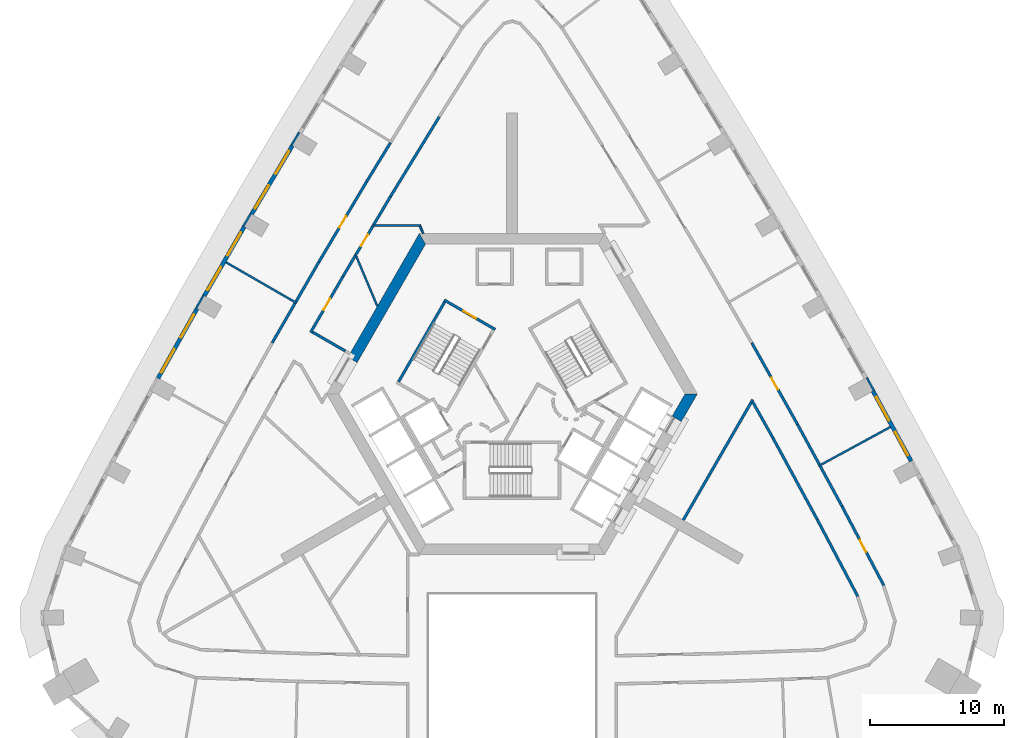
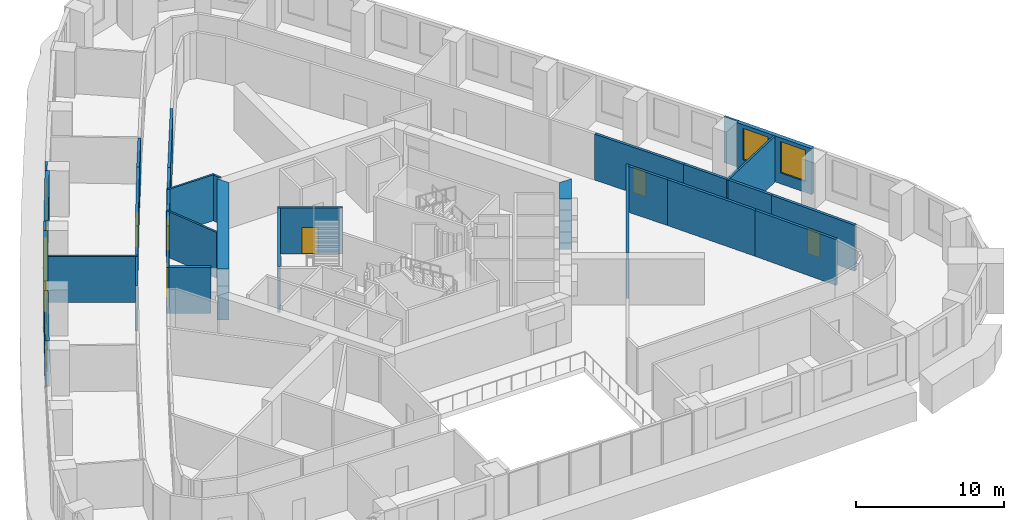
# One storey, part 8 of 17: 35 walls, 8 windows, 6 doors, 14 openings.
"""IFC4 building model written with IfcOpenShell, lengths in metres."""

from ifc_helpers import new_model, si_unit, direction, frame, frame_2d, origin, place, context, subcontext, project, spatial, polyline, rectangle, outline, extrude, material, layer, layer_set, type_object, element, fill, save


model = new_model("IFC4")

# Units and contexts
model_context = context("Model", 3, precision=1e-05, world=origin(), true_north=direction((0.0, 1.0)))
body_context = subcontext(model_context, "Body", "Model", "MODEL_VIEW")
ifc_project = project(units=[si_unit("LENGTHUNIT", "METRE"), si_unit("AREAUNIT", "SQUARE_METRE"), si_unit("VOLUMEUNIT", "CUBIC_METRE"), si_unit("PLANEANGLEUNIT", "RADIAN"), si_unit("MASSUNIT", "GRAM", prefix="KILO")], contexts=[model_context])

# Site, building, storey
site_placement = place(None, origin())
site = spatial("IfcSite", under=ifc_project, at=site_placement, CompositionType="ELEMENT")
building_placement = place(site_placement, origin())
building = spatial("IfcBuilding", under=site, at=building_placement, Name="Entoto Arch Interchange Tower", CompositionType="ELEMENT")
storey_placement = place(building_placement, frame((0.0, 0.0, 167.60009765625)))
storey = spatial("IfcBuildingStorey", under=building, at=storey_placement, Name="L37", CompositionType="ELEMENT", Elevation=167.60009765625)

# Walls
ifc_material_1 = material(Name="Concrete C50/60", Category="concrete")
ifc_layer_1 = layer(ifc_material_1, 0.800048828125)
ifc_layer_set_1 = layer_set([ifc_layer_1], Name="Concrete C50/60")
wall_type_1 = type_object("IfcWallType", Name="Core wall 800 C50/60", PredefinedType="SHEAR", material=ifc_layer_set_1)
wall_1_placement = place(storey_placement, frame((0.0, 0.0, -0.400146484375)))
element("IfcWall", 1, at=wall_1_placement, inside=storey, type_object=wall_type_1, Name="Core wall NW L37", PredefinedType="SHEAR", context=body_context, shape_type="SweptSolid", body=[
    extrude(outline(polyline([(-12.26708984375, 5.251953125), (-11.574951171875, 4.85205078125), (-6.466064453125, 13.699951171875), (-6.927978515625, 14.5), (-12.26708984375, 5.251953125)])), origin(), (0.0, 0.0, 1.0), 4.199951171875),
])
wall_2_placement = place(storey_placement, frame((0.0, 0.0, -0.400146484375)))
element("IfcWall", 2, at=wall_2_placement, inside=storey, type_object=wall_type_1, Name="Core wall SE L37", PredefinedType="SHEAR", context=body_context, shape_type="SweptSolid", body=[
    extrude(outline(polyline([(11.97412109375, 0.840087890625), (12.6669921875, 0.43994140625), (13.85595703125, 2.5), (12.93310546875, 2.5), (11.97412109375, 0.840087890625)])), origin(), (0.0, 0.0, 1.0), 4.199951171875),
])
ifc_material_2 = material(Name="Gypsum board partition on steel studs", Category="steel")
ifc_layer_2 = layer(ifc_material_2, 0.14990234375)
ifc_layer_set_2 = layer_set([ifc_layer_2], Name="Gypsum board partition on steel studs")
wall_type_2 = type_object("IfcWallType", Name="PARTITION 150", PredefinedType="PARTITIONING", material=ifc_layer_set_2)
wall_3_placement = place(storey_placement, frame((-10.068115234375, 9.06201171875, 0.0), z_axis=(0.0, 0.0, 1.0), x_axis=(-0.388992587102, 0.921240884448, 0.0)))
element("IfcWall", 3, at=wall_3_placement, inside=storey, type_object=wall_type_2, Name="wall:L37:p097", PredefinedType="PARTITIONING", context=body_context, shape_type="SweptSolid", body=[
    extrude(rectangle(XDim=4.257080078125, YDim=0.14990234375, at=frame_2d((2.12841796875, 0.0))), origin(), (0.0, 0.0, 1.0), 3.7998046875),
])
wall_4_placement = place(storey_placement, frame((-6.820068359375, 15.10009765625, 0.0), z_axis=(0.0, 0.0, 1.0), x_axis=(-1.0, 0.0, 0.0)))
element("IfcWall", 4, at=wall_4_placement, inside=storey, type_object=wall_type_2, Name="wall:L37:p098", PredefinedType="PARTITIONING", context=body_context, shape_type="SweptSolid", body=[
    extrude(rectangle(XDim=3.65185546875, YDim=0.14990234375, at=frame_2d((1.825927734375, 0.0))), origin(), (0.0, 0.0, 1.0), 3.7998046875),
])
wall_5_placement = place(storey_placement, frame((-6.64111328125, 14.5, 0.0), z_axis=(0.0, 0.0, 1.0), x_axis=(-0.389930013825, 0.920844495188, 0.0)))
element("IfcWall", 5, at=wall_5_placement, inside=storey, type_object=wall_type_2, Name="wall:L37:p099", PredefinedType="PARTITIONING", context=body_context, shape_type="SweptSolid", body=[
    extrude(rectangle(XDim=0.57666015625, YDim=0.14990234375, at=frame_2d((0.288330078125, 0.0))), origin(), (0.0, 0.0, 1.0), 3.7998046875),
])
for number, where, z_axis, x_axis, name in (
    (6, (22.924072265625, -2.885009765625, 0.0), (0.0, 0.0, 1.0), (0.878512782244, 0.477718841406, 0.0), "wall:L37:p136"),
    (7, (-16.097900390625, 9.294921875, 0.0), (0.0, 0.0, 1.0), (-0.866109615698, 0.499854112313, 0.0), "wall:L37:p142"),
):
    element("IfcWall", number, at=place(storey_placement, frame(where, z_axis=z_axis, x_axis=x_axis)), inside=storey, type_object=wall_type_2, Name=name, PredefinedType="PARTITIONING", context=body_context, shape_type="SweptSolid", body=[
        extrude(rectangle(XDim=6.099853515625, YDim=0.14990234375, at=frame_2d((3.0498046875, 0.0))), origin(), (0.0, 0.0, 1.0), 3.7998046875),
    ])

# Wall, opening, door
ifc_layer_3 = layer(ifc_material_2, 0.199951171875)
ifc_layer_set_3 = layer_set([ifc_layer_3], Name="Gypsum board partition on steel studs")
wall_type_3 = type_object("IfcWallType", Name="PARTITION 200", PredefinedType="PARTITIONING", material=ifc_layer_set_3)
wall_6_placement = place(storey_placement, frame((-10.409912109375, 15.035888671875, 0.0), z_axis=(0.0, 0.0, 1.0), x_axis=(-0.510900085603, -0.859640100583, 0.0)))
wall_6 = element("IfcWall", 8, at=wall_6_placement, inside=storey, type_object=wall_type_3, Name="wall:L37:p001", PredefinedType="PARTITIONING", context=body_context, shape_type="SweptSolid", body=[
    extrude(rectangle(XDim=2.41943359375, YDim=0.199951171875, at=frame_2d((1.209716796875, 0.0))), origin(), (0.0, 0.0, 1.0), 3.7998046875),
])
opening_1_placement = place(wall_6_placement, frame((0.708984375, 0.0, 0.0)))
opening_1 = element("IfcOpeningElement", 9, at=opening_1_placement, cuts=wall_6, Name="Opening L37-D23", PredefinedType="OPENING", context=body_context, shape_type="SweptSolid", body=[
    extrude(rectangle(XDim=1.0, YDim=2.10009765625, at=frame_2d((0.5, 1.050048828125))), frame((0.0, 0.10986328125, 0.0), z_axis=(0.0, -1.0, 0.0), x_axis=(1.0, 0.0, 0.0)), (0.0, 0.0, 1.0), 0.219970703125),
])
ifc_material_3 = material(Name="Timber door leaf in Steel S235 frame", Category="steel")
door_type_1 = type_object("IfcDoorType", Name="DOOR DS-10 1000x2100", OperationType="SINGLE_SWING_LEFT", PredefinedType="DOOR", material=ifc_material_3)
door_1_placement = place(opening_1_placement, origin())
door_1 = element("IfcDoor", 10, at=door_1_placement, inside=storey, type_object=door_type_1, Name="door:L37:23", OperationType="SINGLE_SWING_LEFT", OverallHeight=2.10009765625, OverallWidth=1.0, PredefinedType="DOOR", context=body_context, shape_type="SweptSolid", body=[
    extrude(rectangle(XDim=1.0, YDim=2.10009765625, at=frame_2d((0.5, 1.050048828125))), frame((0.0, 0.02490234375, 0.0), z_axis=(0.0, -1.0, 0.0), x_axis=(1.0, 0.0, 0.0)), (0.0, 0.0, 1.0), 0.050048828125),
])
fill(opening_1, door_1)

# Wall
wall_7_placement = place(storey_placement, frame((-11.722900390625, 12.826904296875, 0.0), z_axis=(0.0, 0.0, 1.0), x_axis=(-0.511182890129, -0.859471961637, 0.0)))
element("IfcWall", 11, at=wall_7_placement, inside=storey, type_object=wall_type_3, Name="wall:L37:p002", PredefinedType="PARTITIONING", context=body_context, shape_type="SweptSolid", body=[
    extrude(rectangle(XDim=1.7685546875, YDim=0.199951171875, at=frame_2d((0.88427734375, 0.0))), origin(), (0.0, 0.0, 1.0), 3.7998046875),
])

# Wall, opening, door
wall_8_placement = place(storey_placement, frame((-12.626953125, 11.306884765625, 0.0), z_axis=(0.0, 0.0, 1.0), x_axis=(-0.499907870494, -0.866078588246, 0.0)))
wall_8 = element("IfcWall", 12, at=wall_8_placement, inside=storey, type_object=wall_type_3, Name="wall:L37:p003", PredefinedType="PARTITIONING", context=body_context, shape_type="SweptSolid", body=[
    extrude(rectangle(XDim=4.86328125, YDim=0.199951171875, at=frame_2d((2.431640625, 0.0))), origin(), (0.0, 0.0, 1.0), 3.7998046875),
])
opening_2_placement = place(wall_8_placement, frame((1.931884765625, 0.0, 0.0)))
opening_2 = element("IfcOpeningElement", 13, at=opening_2_placement, cuts=wall_8, Name="Opening L37-D24", PredefinedType="OPENING", context=body_context, shape_type="SweptSolid", body=[
    extrude(rectangle(XDim=1.0, YDim=2.10009765625, at=frame_2d((0.5, 1.050048828125))), frame((0.0, 0.10986328125, 0.0), z_axis=(0.0, -1.0, 0.0), x_axis=(1.0, 0.0, 0.0)), (0.0, 0.0, 1.0), 0.219970703125),
])
door_2_placement = place(opening_2_placement, origin())
door_2 = element("IfcDoor", 14, at=door_2_placement, inside=storey, type_object=door_type_1, Name="door:L37:24", OperationType="SINGLE_SWING_LEFT", OverallHeight=2.10009765625, OverallWidth=1.0, PredefinedType="DOOR", context=body_context, shape_type="SweptSolid", body=[
    extrude(rectangle(XDim=1.0, YDim=2.10009765625, at=frame_2d((0.5, 1.050048828125))), frame((0.0, 0.02490234375, 0.0), z_axis=(0.0, -1.0, 0.0), x_axis=(1.0, 0.0, 0.0)), (0.0, 0.0, 1.0), 0.050048828125),
])
fill(opening_2, door_2)

# Walls
wall_9_placement = place(storey_placement, frame((-14.922119140625, 7.131103515625, 0.0), z_axis=(0.0, 0.0, 1.0), x_axis=(0.866124025492, -0.499829143273, 0.0)))
element("IfcWall", 15, at=wall_9_placement, inside=storey, type_object=wall_type_3, Name="wall:L37:p004", PredefinedType="PARTITIONING", context=body_context, shape_type="SweptSolid", body=[
    extrude(rectangle(XDim=2.83935546875, YDim=0.199951171875, at=frame_2d((1.419677734375, 0.0))), origin(), (0.0, 0.0, 1.0), 3.7998046875),
])
wall_10_placement = place(storey_placement, frame((-5.44091796875, 23.218017578125, 0.0), z_axis=(0.0, 0.0, 1.0), x_axis=(-0.522108536257, -0.85287905143, 0.0)))
element("IfcWall", 16, at=wall_10_placement, inside=storey, type_object=wall_type_3, Name="wall:L37:p016", PredefinedType="PARTITIONING", context=body_context, shape_type="SweptSolid", body=[
    extrude(rectangle(XDim=6.95654296875, YDim=0.199951171875, at=frame_2d((3.478271484375, 0.0))), origin(), (0.0, 0.0, 1.0), 3.7998046875),
])
wall_11_placement = place(storey_placement, frame((-9.072998046875, 17.284912109375, 0.0), z_axis=(0.0, 0.0, 1.0), x_axis=(-0.51105761127, -0.859546460619, 0.0)))
element("IfcWall", 17, at=wall_11_placement, inside=storey, type_object=wall_type_3, Name="wall:L37:p017", PredefinedType="PARTITIONING", context=body_context, shape_type="SweptSolid", body=[
    extrude(rectangle(XDim=2.46728515625, YDim=0.199951171875, at=frame_2d((1.233642578125, 0.0))), origin(), (0.0, 0.0, 1.0), 3.7998046875),
])
wall_12_placement = place(storey_placement, frame((25.85400390625, -12.635009765625, 0.0), z_axis=(0.0, 0.0, 1.0), x_axis=(-0.466483047656, 0.884530138689, 0.0)))
element("IfcWall", 18, at=wall_12_placement, inside=storey, type_object=wall_type_3, Name="wall:L37:p024", PredefinedType="PARTITIONING", context=body_context, shape_type="SweptSolid", body=[
    extrude(rectangle(XDim=6.487060546875, YDim=0.199951171875, at=frame_2d((3.24365234375, 0.0))), origin(), (0.0, 0.0, 1.0), 3.7998046875),
])
wall_13_placement = place(storey_placement, frame((22.827880859375, -6.89697265625, 0.0), z_axis=(0.0, 0.0, 1.0), x_axis=(-0.477513909405, 0.878624189472, 0.0)))
element("IfcWall", 19, at=wall_13_placement, inside=storey, type_object=wall_type_3, Name="wall:L37:p025", PredefinedType="PARTITIONING", context=body_context, shape_type="SweptSolid", body=[
    extrude(rectangle(XDim=6.956298828125, YDim=0.199951171875, at=frame_2d((3.47802734375, 0.0))), origin(), (0.0, 0.0, 1.0), 3.7998046875),
])
wall_14_placement = place(storey_placement, frame((19.506103515625, -0.784912109375, 0.0), z_axis=(0.0, 0.0, 1.0), x_axis=(-0.489049603292, 0.872255974769, 0.0)))
element("IfcWall", 20, at=wall_14_placement, inside=storey, type_object=wall_type_3, Name="wall:L37:p026", PredefinedType="PARTITIONING", context=body_context, shape_type="SweptSolid", body=[
    extrude(rectangle(XDim=3.08154296875, YDim=0.199951171875, at=frame_2d((1.540771484375, 0.0))), origin(), (0.0, 0.0, 1.0), 3.7998046875),
])
wall_15_placement = place(storey_placement, frame((23.048095703125, -2.903076171875, 0.0), z_axis=(0.0, 0.0, 1.0), x_axis=(0.477470161865, -0.878647963936, 0.0)))
element("IfcWall", 21, at=wall_15_placement, inside=storey, type_object=wall_type_3, Name="wall:L37:p046", PredefinedType="PARTITIONING", context=body_context, shape_type="SweptSolid", body=[
    extrude(rectangle(XDim=3.417724609375, YDim=0.199951171875, at=frame_2d((1.708984375, 0.0))), origin(), (0.0, 0.0, 1.0), 3.7998046875),
])

# Wall, opening, door
wall_16_placement = place(storey_placement, frame((24.679931640625, -5.906005859375, 0.0), z_axis=(0.0, 0.0, 1.0), x_axis=(0.466450727507, -0.884547182918, 0.0)))
wall_16 = element("IfcWall", 22, at=wall_16_placement, inside=storey, type_object=wall_type_3, Name="wall:L37:p047", PredefinedType="PARTITIONING", context=body_context, shape_type="SweptSolid", body=[
    extrude(rectangle(XDim=6.684814453125, YDim=0.199951171875, at=frame_2d((3.34228515625, 0.0))), origin(), (0.0, 0.0, 1.0), 3.7998046875),
])
opening_3_placement = place(wall_16_placement, frame((2.842041015625, 0.0, 0.0)))
opening_3 = element("IfcOpeningElement", 23, at=opening_3_placement, cuts=wall_16, Name="Opening L37-D03", PredefinedType="OPENING", context=body_context, shape_type="SweptSolid", body=[
    extrude(rectangle(XDim=1.0, YDim=2.10009765625, at=frame_2d((0.5, 1.050048828125))), frame((0.0, 0.10986328125, 0.0), z_axis=(0.0, -1.0, 0.0), x_axis=(1.0, 0.0, 0.0)), (0.0, 0.0, 1.0), 0.219970703125),
])
door_3_placement = place(opening_3_placement, origin())
door_3 = element("IfcDoor", 24, at=door_3_placement, inside=storey, type_object=door_type_1, Name="door:L37:03", OperationType="SINGLE_SWING_LEFT", OverallHeight=2.10009765625, OverallWidth=1.0, PredefinedType="DOOR", context=body_context, shape_type="SweptSolid", body=[
    extrude(rectangle(XDim=1.0, YDim=2.10009765625, at=frame_2d((0.5, 1.050048828125))), frame((0.0, 0.02490234375, 0.0), z_axis=(0.0, -1.0, 0.0), x_axis=(1.0, 0.0, 0.0)), (0.0, 0.0, 1.0), 0.050048828125),
])
fill(opening_3, door_3)

wall_17_placement = place(storey_placement, frame((17.929931640625, 6.321044921875, 0.0), z_axis=(0.0, 0.0, 1.0), x_axis=(0.489044053781, -0.872259086202, 0.0)))
wall_17 = element("IfcWall", 25, at=wall_17_placement, inside=storey, type_object=wall_type_3, Name="wall:L37:p053", PredefinedType="PARTITIONING", context=body_context, shape_type="SweptSolid", body=[
    extrude(rectangle(XDim=6.983154296875, YDim=0.199951171875, at=frame_2d((3.49169921875, 0.0))), origin(), (0.0, 0.0, 1.0), 3.7998046875),
])
opening_4_placement = place(wall_17_placement, frame((2.990966796875, 0.0, 0.0)))
opening_4 = element("IfcOpeningElement", 26, at=opening_4_placement, cuts=wall_17, Name="Opening L37-D04", PredefinedType="OPENING", context=body_context, shape_type="SweptSolid", body=[
    extrude(rectangle(XDim=1.0, YDim=2.10009765625, at=frame_2d((0.5, 1.050048828125))), frame((0.0, 0.10986328125, 0.0), z_axis=(0.0, -1.0, 0.0), x_axis=(1.0, 0.0, 0.0)), (0.0, 0.0, 1.0), 0.219970703125),
])
door_4_placement = place(opening_4_placement, origin())
door_4 = element("IfcDoor", 27, at=door_4_placement, inside=storey, type_object=door_type_1, Name="door:L37:04", OperationType="SINGLE_SWING_LEFT", OverallHeight=2.10009765625, OverallWidth=1.0, PredefinedType="DOOR", context=body_context, shape_type="SweptSolid", body=[
    extrude(rectangle(XDim=1.0, YDim=2.10009765625, at=frame_2d((0.5, 1.050048828125))), frame((0.0, 0.02490234375, 0.0), z_axis=(0.0, -1.0, 0.0), x_axis=(1.0, 0.0, 0.0)), (0.0, 0.0, 1.0), 0.050048828125),
])
fill(opening_4, door_4)

# Walls
wall_18_placement = place(storey_placement, frame((21.344970703125, 0.22998046875, 0.0), z_axis=(0.0, 0.0, 1.0), x_axis=(0.477544508622, -0.878607558746, 0.0)))
element("IfcWall", 28, at=wall_18_placement, inside=storey, type_object=wall_type_3, Name="wall:L37:p054", PredefinedType="PARTITIONING", context=body_context, shape_type="SweptSolid", body=[
    extrude(rectangle(XDim=3.41552734375, YDim=0.199951171875, at=frame_2d((1.707763671875, 0.0))), origin(), (0.0, 0.0, 1.0), 3.7998046875),
])
wall_19_placement = place(storey_placement, frame((-16.14697265625, 9.409912109375, 0.0), z_axis=(0.0, 0.0, 1.0), x_axis=(0.500044178772, 0.865999895656, 0.0)))
element("IfcWall", 29, at=wall_19_placement, inside=storey, type_object=wall_type_3, Name="wall:L37:p065", PredefinedType="PARTITIONING", context=body_context, shape_type="SweptSolid", body=[
    extrude(rectangle(XDim=3.415771484375, YDim=0.199951171875, at=frame_2d((1.7080078125, 0.0))), origin(), (0.0, 0.0, 1.0), 3.7998046875),
])

# Wall, opening, door
wall_20_placement = place(storey_placement, frame((-14.43896484375, 12.367919921875, 0.0), z_axis=(0.0, 0.0, 1.0), x_axis=(0.51096926939, 0.859598979606, 0.0)))
wall_20 = element("IfcWall", 30, at=wall_20_placement, inside=storey, type_object=wall_type_3, Name="wall:L37:p066", PredefinedType="PARTITIONING", context=body_context, shape_type="SweptSolid", body=[
    extrude(rectangle(XDim=6.982666015625, YDim=0.199951171875, at=frame_2d((3.4912109375, 0.0))), origin(), (0.0, 0.0, 1.0), 3.7998046875),
])
opening_5_placement = place(wall_20_placement, frame((2.990966796875, 0.0, 0.0)))
opening_5 = element("IfcOpeningElement", 31, at=opening_5_placement, cuts=wall_20, Name="Opening L37-D09", PredefinedType="OPENING", context=body_context, shape_type="SweptSolid", body=[
    extrude(rectangle(XDim=1.0, YDim=2.10009765625, at=frame_2d((0.5, 1.050048828125))), frame((0.0, 0.10986328125, 0.0), z_axis=(0.0, -1.0, 0.0), x_axis=(1.0, 0.0, 0.0)), (0.0, 0.0, 1.0), 0.219970703125),
])
door_5_placement = place(opening_5_placement, origin())
door_5 = element("IfcDoor", 32, at=door_5_placement, inside=storey, type_object=door_type_1, Name="door:L37:09", OperationType="SINGLE_SWING_LEFT", OverallHeight=2.10009765625, OverallWidth=1.0, PredefinedType="DOOR", context=body_context, shape_type="SweptSolid", body=[
    extrude(rectangle(XDim=1.0, YDim=2.10009765625, at=frame_2d((0.5, 1.050048828125))), frame((0.0, 0.02490234375, 0.0), z_axis=(0.0, -1.0, 0.0), x_axis=(1.0, 0.0, 0.0)), (0.0, 0.0, 1.0), 0.050048828125),
])
fill(opening_5, door_5)

# Walls
wall_21_placement = place(storey_placement, frame((-10.87109375, 18.3701171875, 0.0), z_axis=(0.0, 0.0, 1.0), x_axis=(0.522117781608, 0.852873391617, 0.0)))
element("IfcWall", 33, at=wall_21_placement, inside=storey, type_object=wall_type_3, Name="wall:L37:p067", PredefinedType="PARTITIONING", context=body_context, shape_type="SweptSolid", body=[
    extrude(rectangle(XDim=3.415283203125, YDim=0.199951171875, at=frame_2d((1.70751953125, 0.0))), origin(), (0.0, 0.0, 1.0), 3.7998046875),
])
wall_22_placement = place(storey_placement, frame((-17.929931640625, 6.321044921875, 0.0), z_axis=(0.0, 0.0, 1.0), x_axis=(0.499920397431, 0.866071357471, 0.0)))
element("IfcWall", 34, at=wall_22_placement, inside=storey, type_object=wall_type_3, Name="wall:L37:p069", PredefinedType="PARTITIONING", context=body_context, shape_type="SweptSolid", body=[
    extrude(rectangle(XDim=3.41650390625, YDim=0.199951171875, at=frame_2d((1.708251953125, 0.0))), origin(), (0.0, 0.0, 1.0), 3.7998046875),
])
wall_23_placement = place(storey_placement, frame((18.0, 2.076904296875, 0.0), z_axis=(0.0, 0.0, 1.0), x_axis=(-0.499959557847, -0.866048751813, 0.0)))
element("IfcWall", 35, at=wall_23_placement, inside=storey, type_object=wall_type_3, Name="wall:L37:p121", PredefinedType="PARTITIONING", context=body_context, shape_type="SweptSolid", body=[
    extrude(rectangle(XDim=10.398681640625, YDim=0.199951171875, at=frame_2d((5.19921875, 0.0))), origin(), (0.0, 0.0, 1.0), 3.7998046875),
])

# Wall, opening, door
ifc_material_4 = material(Name="Concrete C40/50", Category="concrete")
ifc_layer_4 = layer(ifc_material_4, 0.199951171875)
ifc_layer_set_4 = layer_set([ifc_layer_4], Name="Concrete C40/50")
wall_type_4 = type_object("IfcWallType", Name="STAIR ENCLOSURE WALL 200", PredefinedType="STANDARD", material=ifc_layer_set_4)
wall_24_placement = place(storey_placement, frame((-1.256103515625, 7.323974609375, 0.0), z_axis=(0.0, 0.0, 1.0), x_axis=(-0.866046073146, 0.499964197906, 0.0)))
wall_24 = element("IfcWall", 36, at=wall_24_placement, inside=storey, type_object=wall_type_4, Name="Stair wall ST-NW near", PredefinedType="STANDARD", context=body_context, shape_type="SweptSolid", body=[
    extrude(rectangle(XDim=4.400146484375, YDim=0.199951171875, at=frame_2d((2.2001953125, 0.0))), origin(), (0.0, 0.0, 1.0), 3.7998046875),
])
opening_6_placement = place(wall_24_placement, frame((1.64990234375, 0.0, 0.0)))
opening_6 = element("IfcOpeningElement", 37, at=opening_6_placement, cuts=wall_24, Name="Opening SD-ST-NW-L37-E", PredefinedType="OPENING", context=body_context, shape_type="SweptSolid", body=[
    extrude(rectangle(XDim=1.10009765625, YDim=2.199951171875, at=frame_2d((0.550048828125, 1.10009765625))), frame((0.0, 0.10986328125, 0.0), z_axis=(0.0, -1.0, 0.0), x_axis=(1.0, 0.0, 0.0)), (0.0, 0.0, 1.0), 0.219970703125),
])
ifc_material_5 = material(Name="Steel S235", Category="steel")
door_type_2 = type_object("IfcDoorType", Name="STAIR DOOR SD1 1100x2200", OperationType="SINGLE_SWING_LEFT", PredefinedType="DOOR", material=ifc_material_5)
door_6_placement = place(opening_6_placement, origin())
door_6 = element("IfcDoor", 38, at=door_6_placement, inside=storey, type_object=door_type_2, Name="Stair door ST-NW L37 end", OperationType="SINGLE_SWING_LEFT", OverallHeight=2.199951171875, OverallWidth=1.10009765625, PredefinedType="DOOR", context=body_context, shape_type="SweptSolid", body=[
    extrude(rectangle(XDim=1.10009765625, YDim=2.199951171875, at=frame_2d((0.550048828125, 1.10009765625))), frame((0.0, 0.02490234375, 0.0), z_axis=(0.0, -1.0, 0.0), x_axis=(1.0, 0.0, 0.0)), (0.0, 0.0, 1.0), 0.050048828125),
])
fill(opening_6, door_6)

# Wall
wall_25_placement = place(storey_placement, frame((-5.030029296875, 9.387939453125, 0.0), z_axis=(0.0, 0.0, 1.0), x_axis=(-0.499978703459, -0.866037698999, 0.0)))
element("IfcWall", 39, at=wall_25_placement, inside=storey, type_object=wall_type_4, Name="Stair wall ST-NW back", PredefinedType="STANDARD", context=body_context, shape_type="SweptSolid", body=[
    extrude(rectangle(XDim=6.900146484375, YDim=0.199951171875, at=frame_2d((3.4501953125, 0.0))), origin(), (0.0, 0.0, 1.0), 3.7998046875),
])

# Wall, openings, windows
ifc_material_6 = material(Name="Welded tuff (ignimbrite) cladding, warm buff", Category="masonry")
ifc_layer_5 = layer(ifc_material_6, 0.300048828125)
ifc_layer_set_5 = layer_set([ifc_layer_5], Name="Welded tuff (ignimbrite) cladding, warm buff")
wall_type_5 = type_object("IfcWallType", Name="STONE INFILL WALL 300", PredefinedType="STANDARD", material=ifc_layer_set_5)
wall_26_placement = place(storey_placement, frame((29.839111328125, -2.52001953125, 0.0), z_axis=(0.0, 0.0, 1.0), x_axis=(-0.477555226268, 0.878601733361, 0.0)))
wall_26 = element("IfcWall", 40, at=wall_26_placement, inside=storey, type_object=wall_type_5, Name="Facade wall NE-02 L37", PredefinedType="STANDARD", context=body_context, shape_type="SweptSolid", body=[
    extrude(rectangle(XDim=5.964111328125, YDim=0.300048828125, at=frame_2d((2.98193359375, 0.0))), origin(), (0.0, 0.0, 1.0), 3.7998046875),
])
opening_7_placement = place(wall_26_placement, frame((0.490966796875, 0.0, 0.89990234375)))
opening_7 = element("IfcOpeningElement", 41, at=opening_7_placement, cuts=wall_26, Name="Opening WO-C", PredefinedType="OPENING", context=body_context, shape_type="SweptSolid", body=[
    extrude(rectangle(XDim=2.0, YDim=2.60009765625, at=frame_2d((1.0, 1.300048828125))), frame((0.0, 0.16015625, 0.0), z_axis=(0.0, -1.0, 0.0), x_axis=(1.0, 0.0, 0.0)), (0.0, 0.0, 1.0), 0.320068359375),
])
opening_8_placement = place(wall_26_placement, frame((3.472900390625, 0.0, 0.89990234375)))
opening_8 = element("IfcOpeningElement", 42, at=opening_8_placement, cuts=wall_26, Name="Opening WO-C", PredefinedType="OPENING", context=body_context, shape_type="SweptSolid", body=[
    extrude(rectangle(XDim=2.0, YDim=2.60009765625, at=frame_2d((1.0, 1.300048828125))), frame((0.0, 0.16015625, 0.0), z_axis=(0.0, -1.0, 0.0), x_axis=(1.0, 0.0, 0.0)), (0.0, 0.0, 1.0), 0.320068359375),
])
ifc_material_7 = material(Name="Clear glass, low-e double glazed", Category="glass")
window_type = type_object("IfcWindowType", Name="WINDOW WO-C 2000x2600", PartitioningType="DOUBLE_PANEL_VERTICAL", PredefinedType="WINDOW", material=ifc_material_7)
window_1_placement = place(opening_7_placement, origin())
window_1 = element("IfcWindow", 43, at=window_1_placement, inside=storey, type_object=window_type, Name="Window WO-C NE-02 L37", OverallHeight=2.60009765625, OverallWidth=2.0, PartitioningType="SINGLE_PANEL", PredefinedType="WINDOW", context=body_context, shape_type="SweptSolid", body=[
    extrude(rectangle(XDim=2.0, YDim=2.60009765625, at=frame_2d((1.0, 1.300048828125))), frame((0.0, 0.030029296875, 0.0), z_axis=(0.0, -1.0, 0.0), x_axis=(1.0, 0.0, 0.0)), (0.0, 0.0, 1.0), 0.06005859375),
])
fill(opening_7, window_1)
window_2_placement = place(opening_8_placement, origin())
window_2 = element("IfcWindow", 44, at=window_2_placement, inside=storey, type_object=window_type, Name="Window WO-C NE-02 L37", OverallHeight=2.60009765625, OverallWidth=2.0, PartitioningType="SINGLE_PANEL", PredefinedType="WINDOW", context=body_context, shape_type="SweptSolid", body=[
    extrude(rectangle(XDim=2.0, YDim=2.60009765625, at=frame_2d((1.0, 1.300048828125))), frame((0.0, 0.030029296875, 0.0), z_axis=(0.0, -1.0, 0.0), x_axis=(1.0, 0.0, 0.0)), (0.0, 0.0, 1.0), 0.06005859375),
])
fill(opening_8, window_2)

wall_27_placement = place(storey_placement, frame((-16.41796875, 21.073974609375, 0.0), z_axis=(0.0, 0.0, 1.0), x_axis=(-0.511053317394, -0.8595490136, 0.0)))
wall_27 = element("IfcWall", 45, at=wall_27_placement, inside=storey, type_object=wall_type_5, Name="Facade wall NW-03 L37", PredefinedType="STANDARD", context=body_context, shape_type="SweptSolid", body=[
    extrude(rectangle(XDim=5.96240234375, YDim=0.300048828125, at=frame_2d((2.981201171875, 0.0))), origin(), (0.0, 0.0, 1.0), 3.7998046875),
])
opening_9_placement = place(wall_27_placement, frame((0.490966796875, 0.0, 0.89990234375)))
opening_9 = element("IfcOpeningElement", 46, at=opening_9_placement, cuts=wall_27, Name="Opening WO-C", PredefinedType="OPENING", context=body_context, shape_type="SweptSolid", body=[
    extrude(rectangle(XDim=2.0, YDim=2.60009765625, at=frame_2d((1.0, 1.300048828125))), frame((0.0, 0.16015625, 0.0), z_axis=(0.0, -1.0, 0.0), x_axis=(1.0, 0.0, 0.0)), (0.0, 0.0, 1.0), 0.320068359375),
])
opening_10_placement = place(wall_27_placement, frame((3.471923828125, 0.0, 0.89990234375)))
opening_10 = element("IfcOpeningElement", 47, at=opening_10_placement, cuts=wall_27, Name="Opening WO-C", PredefinedType="OPENING", context=body_context, shape_type="SweptSolid", body=[
    extrude(rectangle(XDim=2.0, YDim=2.60009765625, at=frame_2d((1.0, 1.300048828125))), frame((0.0, 0.16015625, 0.0), z_axis=(0.0, -1.0, 0.0), x_axis=(1.0, 0.0, 0.0)), (0.0, 0.0, 1.0), 0.320068359375),
])
window_3_placement = place(opening_9_placement, origin())
window_3 = element("IfcWindow", 48, at=window_3_placement, inside=storey, type_object=window_type, Name="Window WO-C NW-03 L37", OverallHeight=2.60009765625, OverallWidth=2.0, PartitioningType="SINGLE_PANEL", PredefinedType="WINDOW", context=body_context, shape_type="SweptSolid", body=[
    extrude(rectangle(XDim=2.0, YDim=2.60009765625, at=frame_2d((1.0, 1.300048828125))), frame((0.0, 0.030029296875, 0.0), z_axis=(0.0, -1.0, 0.0), x_axis=(1.0, 0.0, 0.0)), (0.0, 0.0, 1.0), 0.06005859375),
])
fill(opening_9, window_3)
window_4_placement = place(opening_10_placement, origin())
window_4 = element("IfcWindow", 49, at=window_4_placement, inside=storey, type_object=window_type, Name="Window WO-C NW-03 L37", OverallHeight=2.60009765625, OverallWidth=2.0, PartitioningType="SINGLE_PANEL", PredefinedType="WINDOW", context=body_context, shape_type="SweptSolid", body=[
    extrude(rectangle(XDim=2.0, YDim=2.60009765625, at=frame_2d((1.0, 1.300048828125))), frame((0.0, 0.030029296875, 0.0), z_axis=(0.0, -1.0, 0.0), x_axis=(1.0, 0.0, 0.0)), (0.0, 0.0, 1.0), 0.06005859375),
])
fill(opening_10, window_4)

wall_28_placement = place(storey_placement, frame((-20.02001953125, 15.001953125, 0.0), z_axis=(0.0, 0.0, 1.0), x_axis=(-0.49986421087, -0.866103787482, 0.0)))
wall_28 = element("IfcWall", 50, at=wall_28_placement, inside=storey, type_object=wall_type_5, Name="Facade wall NW-04 L37", PredefinedType="STANDARD", context=body_context, shape_type="SweptSolid", body=[
    extrude(rectangle(XDim=5.963623046875, YDim=0.300048828125, at=frame_2d((2.98193359375, 0.0))), origin(), (0.0, 0.0, 1.0), 3.7998046875),
])
opening_11_placement = place(wall_28_placement, frame((0.490966796875, 0.0, 0.89990234375)))
opening_11 = element("IfcOpeningElement", 51, at=opening_11_placement, cuts=wall_28, Name="Opening WO-C", PredefinedType="OPENING", context=body_context, shape_type="SweptSolid", body=[
    extrude(rectangle(XDim=2.0, YDim=2.60009765625, at=frame_2d((1.0, 1.300048828125))), frame((0.0, 0.16015625, 0.0), z_axis=(0.0, -1.0, 0.0), x_axis=(1.0, 0.0, 0.0)), (0.0, 0.0, 1.0), 0.320068359375),
])
opening_12_placement = place(wall_28_placement, frame((3.472900390625, 0.0, 0.89990234375)))
opening_12 = element("IfcOpeningElement", 52, at=opening_12_placement, cuts=wall_28, Name="Opening WO-C", PredefinedType="OPENING", context=body_context, shape_type="SweptSolid", body=[
    extrude(rectangle(XDim=2.0, YDim=2.60009765625, at=frame_2d((1.0, 1.300048828125))), frame((0.0, 0.16015625, 0.0), z_axis=(0.0, -1.0, 0.0), x_axis=(1.0, 0.0, 0.0)), (0.0, 0.0, 1.0), 0.320068359375),
])
window_5_placement = place(opening_11_placement, origin())
window_5 = element("IfcWindow", 53, at=window_5_placement, inside=storey, type_object=window_type, Name="Window WO-C NW-04 L37", OverallHeight=2.60009765625, OverallWidth=2.0, PartitioningType="SINGLE_PANEL", PredefinedType="WINDOW", context=body_context, shape_type="SweptSolid", body=[
    extrude(rectangle(XDim=2.0, YDim=2.60009765625, at=frame_2d((1.0, 1.300048828125))), frame((0.0, 0.030029296875, 0.0), z_axis=(0.0, -1.0, 0.0), x_axis=(1.0, 0.0, 0.0)), (0.0, 0.0, 1.0), 0.06005859375),
])
fill(opening_11, window_5)
window_6_placement = place(opening_12_placement, origin())
window_6 = element("IfcWindow", 54, at=window_6_placement, inside=storey, type_object=window_type, Name="Window WO-C NW-04 L37", OverallHeight=2.60009765625, OverallWidth=2.0, PartitioningType="SINGLE_PANEL", PredefinedType="WINDOW", context=body_context, shape_type="SweptSolid", body=[
    extrude(rectangle(XDim=2.0, YDim=2.60009765625, at=frame_2d((1.0, 1.300048828125))), frame((0.0, 0.030029296875, 0.0), z_axis=(0.0, -1.0, 0.0), x_axis=(1.0, 0.0, 0.0)), (0.0, 0.0, 1.0), 0.06005859375),
])
fill(opening_12, window_6)

wall_29_placement = place(storey_placement, frame((-23.5439453125, 8.883056640625, 0.0), z_axis=(0.0, 0.0, 1.0), x_axis=(-0.489032196971, -0.87226573378, 0.0)))
wall_29 = element("IfcWall", 55, at=wall_29_placement, inside=storey, type_object=wall_type_5, Name="Facade wall NW-05 L37", PredefinedType="STANDARD", context=body_context, shape_type="SweptSolid", body=[
    extrude(rectangle(XDim=5.962890625, YDim=0.300048828125, at=frame_2d((2.9814453125, 0.0))), origin(), (0.0, 0.0, 1.0), 3.7998046875),
])
opening_13_placement = place(wall_29_placement, frame((0.490966796875, 0.0, 0.89990234375)))
opening_13 = element("IfcOpeningElement", 56, at=opening_13_placement, cuts=wall_29, Name="Opening WO-C", PredefinedType="OPENING", context=body_context, shape_type="SweptSolid", body=[
    extrude(rectangle(XDim=2.0, YDim=2.60009765625, at=frame_2d((1.0, 1.300048828125))), frame((0.0, 0.16015625, 0.0), z_axis=(0.0, -1.0, 0.0), x_axis=(1.0, 0.0, 0.0)), (0.0, 0.0, 1.0), 0.320068359375),
])
opening_14_placement = place(wall_29_placement, frame((3.471923828125, 0.0, 0.89990234375)))
opening_14 = element("IfcOpeningElement", 57, at=opening_14_placement, cuts=wall_29, Name="Opening WO-C", PredefinedType="OPENING", context=body_context, shape_type="SweptSolid", body=[
    extrude(rectangle(XDim=2.0, YDim=2.60009765625, at=frame_2d((1.0, 1.300048828125))), frame((0.0, 0.16015625, 0.0), z_axis=(0.0, -1.0, 0.0), x_axis=(1.0, 0.0, 0.0)), (0.0, 0.0, 1.0), 0.320068359375),
])
window_7_placement = place(opening_13_placement, origin())
window_7 = element("IfcWindow", 58, at=window_7_placement, inside=storey, type_object=window_type, Name="Window WO-C NW-05 L37", OverallHeight=2.60009765625, OverallWidth=2.0, PartitioningType="SINGLE_PANEL", PredefinedType="WINDOW", context=body_context, shape_type="SweptSolid", body=[
    extrude(rectangle(XDim=2.0, YDim=2.60009765625, at=frame_2d((1.0, 1.300048828125))), frame((0.0, 0.030029296875, 0.0), z_axis=(0.0, -1.0, 0.0), x_axis=(1.0, 0.0, 0.0)), (0.0, 0.0, 1.0), 0.06005859375),
])
fill(opening_13, window_7)
window_8_placement = place(opening_14_placement, origin())
window_8 = element("IfcWindow", 59, at=window_8_placement, inside=storey, type_object=window_type, Name="Window WO-C NW-05 L37", OverallHeight=2.60009765625, OverallWidth=2.0, PartitioningType="SINGLE_PANEL", PredefinedType="WINDOW", context=body_context, shape_type="SweptSolid", body=[
    extrude(rectangle(XDim=2.0, YDim=2.60009765625, at=frame_2d((1.0, 1.300048828125))), frame((0.0, 0.030029296875, 0.0), z_axis=(0.0, -1.0, 0.0), x_axis=(1.0, 0.0, 0.0)), (0.0, 0.0, 1.0), 0.06005859375),
])
fill(opening_14, window_8)

# Walls
ifc_layer_6 = layer(ifc_material_6, 0.14990234375)
ifc_layer_set_6 = layer_set([ifc_layer_6], Name="Welded tuff (ignimbrite) cladding, warm buff")
wall_type_6 = type_object("IfcWallType", Name="STONE PIER CLADDING 150", PredefinedType="STANDARD", material=ifc_layer_set_6)
for number, where, z_axis, x_axis, name in (
    (60, (27.05908203125, 2.757080078125, 0.0), (0.0, 0.0, 1.0), (-0.481850587491, 0.876253394478, 0.0), "Stone pier NE03 L37"),
    (61, (-15.9169921875, 22.055908203125, 0.0), (0.0, 0.0, 1.0), (-0.518178754102, -0.855272341888, 0.0), "Stone pier NW03 L37"),
):
    element("IfcWall", number, at=place(storey_placement, frame(where, z_axis=z_axis, x_axis=x_axis)), inside=storey, type_object=wall_type_6, Name=name, PredefinedType="STANDARD", context=body_context, shape_type="SweptSolid", body=[
        extrude(rectangle(XDim=1.10009765625, YDim=0.14990234375, at=frame_2d((0.550048828125, 0.0))), origin(), (0.0, 0.0, 1.0), 3.7998046875),
    ])
wall_30_placement = place(storey_placement, frame((-19.531982421875, 15.989013671875, 0.0), z_axis=(0.0, 0.0, 1.0), x_axis=(-0.50667077411, -0.862139621327, 0.0)))
element("IfcWall", 62, at=wall_30_placement, inside=storey, type_object=wall_type_6, Name="Stone pier NW04 L37", PredefinedType="STANDARD", context=body_context, shape_type="SweptSolid", body=[
    extrude(rectangle(XDim=1.099609375, YDim=0.14990234375, at=frame_2d((0.5498046875, 0.0))), origin(), (0.0, 0.0, 1.0), 3.7998046875),
])
wall_31_placement = place(storey_placement, frame((-23.069091796875, 9.876953125, 0.0), z_axis=(0.0, 0.0, 1.0), x_axis=(-0.494512685492, -0.869170411305, 0.0)))
element("IfcWall", 63, at=wall_31_placement, inside=storey, type_object=wall_type_6, Name="Stone pier NW05 L37", PredefinedType="STANDARD", context=body_context, shape_type="SweptSolid", body=[
    extrude(rectangle(XDim=1.099853515625, YDim=0.14990234375, at=frame_2d((0.5498046875, 0.0))), origin(), (0.0, 0.0, 1.0), 3.7998046875),
])

save(model, "model.ifc")
